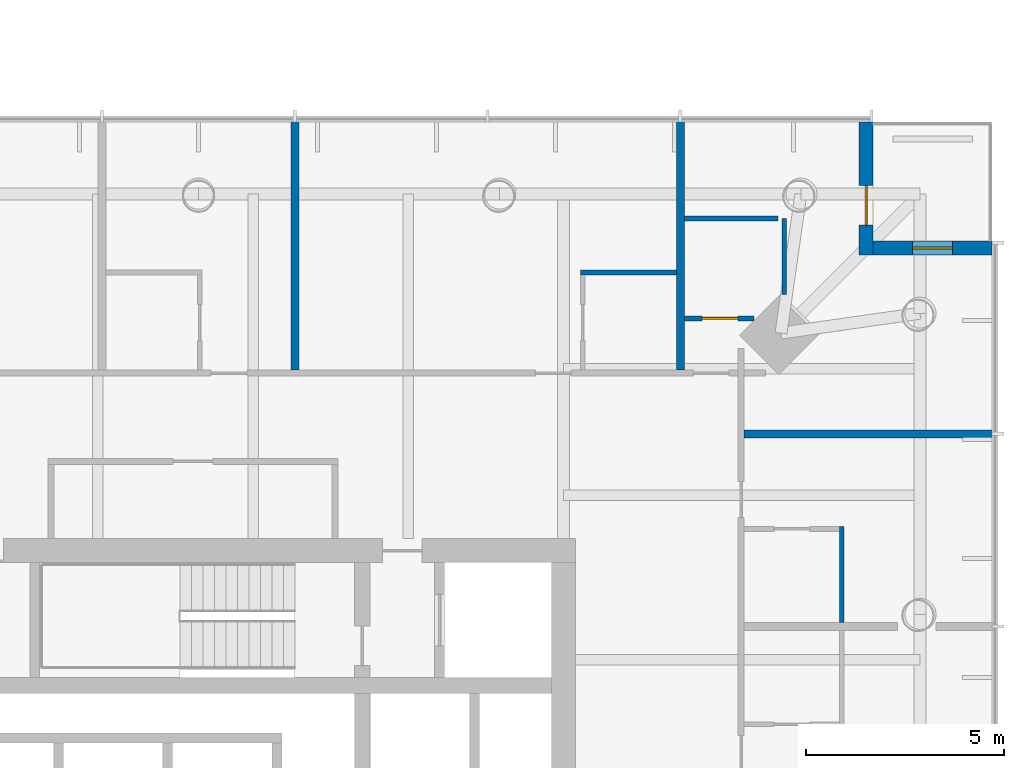
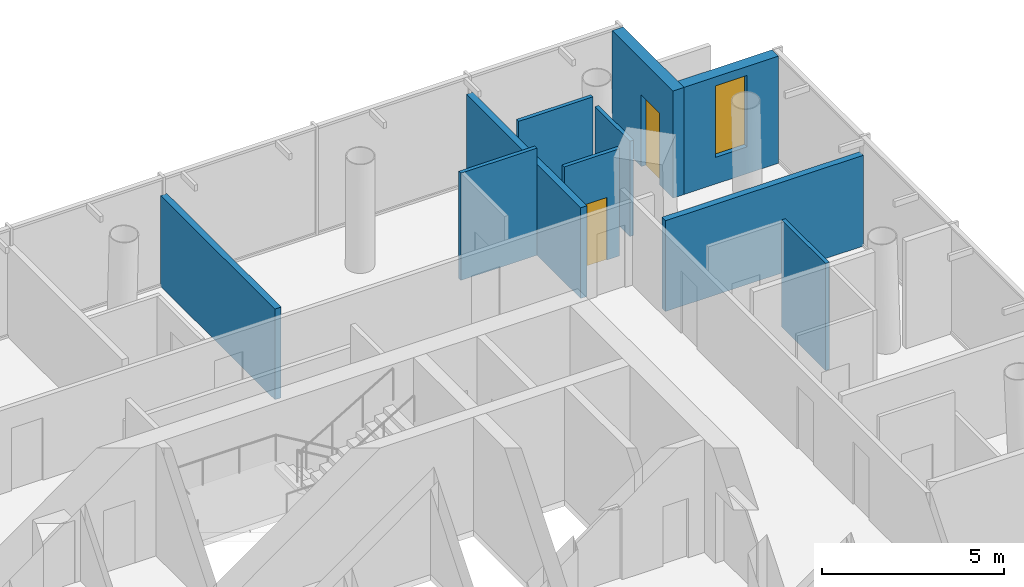
# One storey, part 18 of 22: 10 walls, 2 doors, 1 window, 3 openings.
"""IFC4 building model written with IfcOpenShell, lengths in metres."""

import ifcopenshell
import ifcopenshell.guid

model = None  # the IFC model being written
_history = None  # IfcOwnerHistory: only IFC2X3 demands one
_inside = {}  # id of a spatial element -> (the spatial element, [elements in it])
_under = {}  # id of a project, library or spatial element -> (it, [spatial elements below it])
_declared = {}  # id of a project -> (the project, [libraries it declares])
_typed = {}  # id of a type object -> (the type object, [elements of that type])
_made_of = {}  # id of a material, layer set ... -> (it, [elements and type objects made of it])


def new_model(schema):
    """Start an empty IFC model of exactly this schema.

    Asked for "IFC4X3", IfcOpenShell would pick the latest addendum, in which some entities
    have other attributes; the version numbers below select the first issue.
    IFC2X3 requires an IfcOwnerHistory on every rooted entity: one is made here for all.
    """
    global model, _history
    if schema == "IFC4X3":
        model = ifcopenshell.file(schema_version=(4, 3, 0, 0))
    else:
        model = ifcopenshell.file(schema=schema)
    _inside.clear()
    _under.clear()
    _declared.clear()
    _typed.clear()
    _made_of.clear()
    _history = None
    if model.schema == "IFC2X3":
        org = make("IfcOrganization", Name="unknown")
        user = make(
            "IfcPersonAndOrganization",
            ThePerson=make("IfcPerson", FamilyName="unknown"),
            TheOrganization=org,
        )
        app = make(
            "IfcApplication",
            ApplicationDeveloper=org,
            Version="unknown",
            ApplicationFullName="unknown",
            ApplicationIdentifier="unknown",
        )
        _history = make(
            "IfcOwnerHistory",
            OwningUser=user,
            OwningApplication=app,
            ChangeAction="ADDED",
            CreationDate=0,
        )
    return model


def make(cls, **values):
    """One entity of the class cls with the attributes given. An attribute that is None is left unset."""
    return model.create_entity(
        cls, **{name: value for name, value in values.items() if value is not None}
    )


def rooted(cls, **values):
    """An entity with a GlobalId (a new one), such as an element, a storey or a relation."""
    return make(cls, GlobalId=ifcopenshell.guid.new(), OwnerHistory=_history, **values)


def si_unit(unit_type, name, prefix=None):
    """IfcSIUnit, for example si_unit("LENGTHUNIT", "METRE", prefix="MILLI")."""
    return make("IfcSIUnit", UnitType=unit_type, Prefix=prefix, Name=name)


def assignment(units):
    """IfcUnitAssignment: the units of a project."""
    return None if units is None else make("IfcUnitAssignment", Units=units)


def point(xyz):
    """IfcCartesianPoint."""
    return None if xyz is None else make("IfcCartesianPoint", Coordinates=xyz)


def direction(xyz):
    """IfcDirection."""
    return None if xyz is None else make("IfcDirection", DirectionRatios=xyz)


def frame(location, z_axis=None, x_axis=None):
    """IfcAxis2Placement3D, a coordinate frame: its origin and axes. An axis left out is left unset."""
    return make(
        "IfcAxis2Placement3D",
        Location=point(location),
        Axis=direction(z_axis),
        RefDirection=direction(x_axis),
    )


def frame_2d(location, x_axis=None):
    """IfcAxis2Placement2D, a coordinate frame in the plane: its origin and x axis."""
    return make(
        "IfcAxis2Placement2D", Location=point(location), RefDirection=direction(x_axis)
    )


def origin():
    """The frame at (0, 0, 0) with its axes left unset."""
    return frame((0.0, 0.0, 0.0))


def place(relative_to, where):
    """IfcLocalPlacement: puts the frame where relative to a parent placement (None: the world)."""
    return make(
        "IfcLocalPlacement", PlacementRelTo=relative_to, RelativePlacement=where
    )


def context(
    kind, dimensions, precision=None, world=None, true_north=None, identifier=None
):
    """IfcGeometricRepresentationContext, for example the 3D "Model" context."""
    return make(
        "IfcGeometricRepresentationContext",
        ContextIdentifier=identifier,
        ContextType=kind,
        CoordinateSpaceDimension=dimensions,
        Precision=precision,
        WorldCoordinateSystem=world,
        TrueNorth=true_north,
    )


def subcontext(parent, identifier, kind, view, scale=None):
    """IfcGeometricRepresentationSubContext, for example "Body" below "Model"."""
    return make(
        "IfcGeometricRepresentationSubContext",
        ContextIdentifier=identifier,
        ContextType=kind,
        ParentContext=parent,
        TargetScale=scale,
        TargetView=view,
    )


def project(units=None, contexts=None):
    """IfcProject with its units and contexts."""
    return rooted(
        "IfcProject",
        Name="project",
        RepresentationContexts=contexts,
        UnitsInContext=assignment(units),
    )


def spatial(cls, under=None, at=None, **own):
    """A site, building, storey or space (cls), placed at a placement, below another one or the project."""
    s = rooted(cls, ObjectPlacement=at, **own)
    if under is not None:
        _under.setdefault(under.id(), (under, []))[1].append(s)
    return s


def profile(cls, at=None, kind="AREA", **sizes):
    """A parametric profile (cls). Its sizes go by their IFC names, for example OverallWidth=200.0."""
    return make(cls, ProfileType=kind, Position=at, **sizes)


def rectangle(**sizes):
    """IfcRectangleProfileDef."""
    return profile("IfcRectangleProfileDef", **sizes)


def extrude(swept, where, along, depth):
    """IfcExtrudedAreaSolid: the profile swept, set in the frame where, extruded along a direction by depth."""
    return make(
        "IfcExtrudedAreaSolid",
        SweptArea=swept,
        Position=where,
        ExtrudedDirection=direction(along),
        Depth=depth,
    )


def shape(context_of_items, identifier, shape_type, items):
    """IfcShapeRepresentation: the items that make up one representation, for example the "Body"."""
    return make(
        "IfcShapeRepresentation",
        ContextOfItems=context_of_items,
        RepresentationIdentifier=identifier,
        RepresentationType=shape_type,
        Items=items,
    )


def material(Name=None, Category=None):
    """IfcMaterial."""
    return make("IfcMaterial", Name=Name, Category=Category)


def layer(
    of_material, thickness, ventilated=None, Name=None, Category=None, Priority=None
):
    """IfcMaterialLayer: one layer of a wall or slab, of a material (None: an air gap)."""
    return make(
        "IfcMaterialLayer",
        Material=of_material,
        LayerThickness=thickness,
        IsVentilated=ventilated,
        Name=Name,
        Category=Category,
        Priority=Priority,
    )


def layer_set(layers, Name=None):
    """IfcMaterialLayerSet."""
    return make("IfcMaterialLayerSet", MaterialLayers=layers, LayerSetName=Name)


def made_of(thing, what):
    """Note that an element or type object is made of a material, layer set ...; save() writes the relation."""
    if what is not None:
        _made_of.setdefault(what.id(), (what, []))[1].append(thing)
    return thing


def type_object(cls, material=None, **own):
    """A type object (cls), such as IfcWallType, which elements share."""
    return made_of(rooted(cls, **own), material)


def element(
    cls,
    number,
    at=None,
    inside=None,
    cuts=None,
    type_object=None,
    material=None,
    context=None,
    identifier="Body",
    shape_type=None,
    held_by="IfcProductDefinitionShape",
    body=None,
    shapes=None,
    **own,
):
    """One element of the class cls, such as IfcWall. Its Tag is "e" and its number.

    at: its placement. inside: the storey or other place that contains it. cuts: it is an
    opening in that element (IfcRelVoidsElement). A single representation is given by context,
    identifier, shape_type and body (its items); several are given by shapes. held_by: the class
    of the entity that holds the representations. save() writes the other relations.
    """
    e = rooted(cls, Tag="e%d" % number, ObjectPlacement=at, **own)
    if body is not None:
        shapes = [shape(context, identifier, shape_type, body)]
    if shapes is not None:
        e.Representation = make(held_by, Representations=shapes)
    if inside is not None:
        _inside.setdefault(inside.id(), (inside, []))[1].append(e)
    if cuts is not None:
        rooted(
            "IfcRelVoidsElement", RelatingBuildingElement=cuts, RelatedOpeningElement=e
        )
    if type_object is not None:
        _typed.setdefault(type_object.id(), (type_object, []))[1].append(e)
    return made_of(e, material)


def fill(opening, filler):
    """IfcRelFillsElement: the door or window that sits in an opening."""
    return rooted(
        "IfcRelFillsElement",
        RelatingOpeningElement=opening,
        RelatedBuildingElement=filler,
    )


def aggregate(whole, parts):
    """IfcRelAggregates: a whole, such as a stair, and the parts it consists of."""
    return rooted("IfcRelAggregates", RelatingObject=whole, RelatedObjects=parts)


def save(model, path):
    """Write the relations noted so far, then the file.

    IfcRelAggregates (storeys below a building ...), IfcRelContainedInSpatialStructure (elements
    in a storey), IfcRelDefinesByType, IfcRelAssociatesMaterial and IfcRelDeclares: one each for
    every whole, place, type object, material and project.
    """
    for whole, parts in _under.values():
        aggregate(whole, parts)
    for where, things in _inside.values():
        rooted(
            "IfcRelContainedInSpatialStructure",
            RelatedElements=things,
            RelatingStructure=where,
        )
    for kind, things in _typed.values():
        rooted("IfcRelDefinesByType", RelatedObjects=things, RelatingType=kind)
    for what, things in _made_of.values():
        rooted("IfcRelAssociatesMaterial", RelatedObjects=things, RelatingMaterial=what)
    for by, libraries in _declared.values():
        rooted("IfcRelDeclares", RelatingContext=by, RelatedDefinitions=libraries)
    model.write(path)


model = new_model("IFC4")

# Units and contexts
model_context = context("Model", 3, precision=1e-05, world=origin(), true_north=direction((0.0, 1.0)))
body_context = subcontext(model_context, "Body", "Model", "MODEL_VIEW")
ifc_project = project(units=[si_unit("LENGTHUNIT", "METRE"), si_unit("AREAUNIT", "SQUARE_METRE"), si_unit("VOLUMEUNIT", "CUBIC_METRE"), si_unit("PLANEANGLEUNIT", "RADIAN"), si_unit("MASSUNIT", "GRAM", prefix="KILO")], contexts=[model_context])

# Site, building, storey
site_placement = place(None, origin())
site = spatial("IfcSite", under=ifc_project, at=site_placement, CompositionType="ELEMENT")
building_placement = place(site_placement, origin())
building = spatial("IfcBuilding", under=site, at=building_placement, Name="Ostroluk Exchange", CompositionType="ELEMENT")
storey_placement = place(building_placement, frame((0.0, 0.0, 40.0)))
storey = spatial("IfcBuildingStorey", under=building, at=storey_placement, Name="L09", CompositionType="ELEMENT", Elevation=40.0)

# Wall, opening, door
ifc_material_1 = material(Name="Limestone", Category="masonry")
ifc_layer_1 = layer(ifc_material_1, 0.35009765625)
ifc_layer_set_1 = layer_set([ifc_layer_1], Name="Limestone facade wall 350")
wall_type_1 = type_object("IfcWallType", Name="Limestone facade wall 350", PredefinedType="SOLIDWALL", material=ifc_layer_set_1)
wall_1_placement = place(storey_placement, frame((133.824951171875, 66.0, 0.0), z_axis=(0.0, 0.0, 1.0), x_axis=(0.0, -1.0, 0.0)))
wall_1 = element("IfcWall", 1, at=wall_1_placement, inside=storey, type_object=wall_type_1, Name="Hotel tower NE corner wall L09 a", PredefinedType="SOLIDWALL", context=body_context, shape_type="SweptSolid", body=[
    extrude(rectangle(XDim=3.35009765625, YDim=0.35009765625, at=frame_2d((1.675048828125, 0.0))), origin(), (0.0, 0.0, 1.0), 3.60009765625),
])
opening_1_placement = place(wall_1_placement, frame((1.60009765625, 0.0, 0.0)))
opening_1 = element("IfcOpeningElement", 2, at=opening_1_placement, cuts=wall_1, Name="Opening D-B1", PredefinedType="OPENING", context=body_context, shape_type="SweptSolid", body=[
    extrude(rectangle(XDim=1.0, YDim=2.39990234375, at=frame_2d((0.5, 1.199951171875))), frame((0.0, 0.18505859375, 0.0), z_axis=(0.0, -1.0, 0.0), x_axis=(1.0, 0.0, 0.0)), (0.0, 0.0, 1.0), 0.3701171875),
])
ifc_material_2 = material(Name="Bronze framed glazed door", Category="aluminium")
door_type_1 = type_object("IfcDoorType", Name="Balcony door 1000 x 2400", OperationType="SINGLE_SWING_LEFT", PredefinedType="DOOR", material=ifc_material_2)
door_1_placement = place(opening_1_placement, origin())
door_1 = element("IfcDoor", 3, at=door_1_placement, inside=storey, type_object=door_type_1, Name="Hotel tower NE balcony door L09", OperationType="SINGLE_SWING_RIGHT", OverallHeight=2.39990234375, OverallWidth=1.0, PredefinedType="DOOR", context=body_context, shape_type="SweptSolid", body=[
    extrude(rectangle(XDim=1.0, YDim=2.39990234375, at=frame_2d((0.5, 1.199951171875))), frame((0.0, 0.02490234375, 0.0), z_axis=(0.0, -1.0, 0.0), x_axis=(1.0, 0.0, 0.0)), (0.0, 0.0, 1.0), 0.050048828125),
])
fill(opening_1, door_1)

# Wall, opening, window
wall_2_placement = place(storey_placement, frame((134.0, 62.824951171875, 0.0), z_axis=(0.0, 0.0, 1.0), x_axis=(1.0, 0.0, 0.0)))
wall_2 = element("IfcWall", 4, at=wall_2_placement, inside=storey, type_object=wall_type_1, Name="Hotel tower NE corner wall L09 b", PredefinedType="SOLIDWALL", context=body_context, shape_type="SweptSolid", body=[
    extrude(rectangle(XDim=3.0, YDim=0.35009765625, at=frame_2d((1.5, 0.0))), origin(), (0.0, 0.0, 1.0), 3.60009765625),
])
opening_2_placement = place(wall_2_placement, frame((1.0, 0.0, 0.89990234375)))
opening_2 = element("IfcOpeningElement", 5, at=opening_2_placement, cuts=wall_2, Name="Opening WN-L3", PredefinedType="OPENING", context=body_context, shape_type="SweptSolid", body=[
    extrude(rectangle(XDim=1.0, YDim=2.39990234375, at=frame_2d((0.5, 1.199951171875))), frame((0.0, 0.18505859375, 0.0), z_axis=(0.0, -1.0, 0.0), x_axis=(1.0, 0.0, 0.0)), (0.0, 0.0, 1.0), 0.3701171875),
])
ifc_material_3 = material(Name="Laminated clear glass", Category="glass")
window_type = type_object("IfcWindowType", Name="Hotel lancet window 1000 x 2400", PartitioningType="SINGLE_PANEL", PredefinedType="WINDOW", material=ifc_material_3)
window_placement = place(opening_2_placement, origin())
window = element("IfcWindow", 6, at=window_placement, inside=storey, type_object=window_type, Name="Hotel tower NE lancet window L09", OverallHeight=2.39990234375, OverallWidth=1.0, PartitioningType="SINGLE_PANEL", PredefinedType="WINDOW", context=body_context, shape_type="SweptSolid", body=[
    extrude(rectangle(XDim=1.0, YDim=2.39990234375, at=frame_2d((0.5, 1.199951171875))), frame((0.0, 0.030029296875, 0.0), z_axis=(0.0, -1.0, 0.0), x_axis=(1.0, 0.0, 0.0)), (0.0, 0.0, 1.0), 0.06005859375),
])
fill(opening_2, window)

# Wall
ifc_material_4 = material(Name="Gypsum plasterboard partition, moisture resistant", Category="gypsum")
ifc_layer_2 = layer(ifc_material_4, 0.1201171875)
ifc_layer_set_2 = layer_set([ifc_layer_2], Name="Plasterboard en-suite wall 120")
wall_type_2 = type_object("IfcWallType", Name="Plasterboard en-suite wall 120", PredefinedType="PARTITIONING", material=ifc_layer_set_2)
wall_3_placement = place(storey_placement, frame((133.2099609375, 53.3857421875, 0.0), z_axis=(0.0, 0.0, 1.0), x_axis=(0.0, 1.0, 0.0)))
element("IfcWall", 7, at=wall_3_placement, inside=storey, type_object=wall_type_2, Name="En-suite wall", PredefinedType="PARTITIONING", context=body_context, shape_type="SweptSolid", body=[
    extrude(rectangle(XDim=2.419921875, YDim=0.1201171875, at=frame_2d((1.2099609375, 0.0))), origin(), (0.0, 0.0, 1.0), 3.60009765625),
])

# Wall, opening, door
wall_4_placement = place(storey_placement, frame((129.242919921875, 61.050048828125, 0.0), z_axis=(0.0, 0.0, 1.0), x_axis=(1.0, 0.0, 0.0)))
wall_4 = element("IfcWall", 8, at=wall_4_placement, inside=storey, type_object=wall_type_2, Name="En-suite wall", PredefinedType="PARTITIONING", context=body_context, shape_type="SweptSolid", body=[
    extrude(rectangle(XDim=1.757080078125, YDim=0.1201171875, at=frame_2d((0.87841796875, 0.0))), origin(), (0.0, 0.0, 1.0), 3.60009765625),
])
opening_3_placement = place(wall_4_placement, frame((0.449951171875, 0.0, 0.0)))
opening_3 = element("IfcOpeningElement", 9, at=opening_3_placement, cuts=wall_4, Name="Opening D-02", PredefinedType="OPENING", context=body_context, shape_type="SweptSolid", body=[
    extrude(rectangle(XDim=0.89990234375, YDim=2.10009765625, at=frame_2d((0.449951171875, 1.050048828125))), frame((0.0, 0.070068359375, 0.0), z_axis=(0.0, -1.0, 0.0), x_axis=(1.0, 0.0, 0.0)), (0.0, 0.0, 1.0), 0.14013671875),
])
ifc_material_5 = material(Name="Timber", Category="wood")
door_type_2 = type_object("IfcDoorType", Name="En-suite door 900 x 2100", OperationType="SINGLE_SWING_LEFT", PredefinedType="DOOR", material=ifc_material_5)
door_2_placement = place(opening_3_placement, origin())
door_2 = element("IfcDoor", 10, at=door_2_placement, inside=storey, type_object=door_type_2, Name="En-suite door 906", OperationType="SINGLE_SWING_RIGHT", OverallHeight=2.10009765625, OverallWidth=0.89990234375, PredefinedType="DOOR", context=body_context, shape_type="SweptSolid", body=[
    extrude(rectangle(XDim=0.89990234375, YDim=2.10009765625, at=frame_2d((0.449951171875, 1.050048828125))), frame((0.0, 0.02490234375, 0.0), z_axis=(0.0, -1.0, 0.0), x_axis=(1.0, 0.0, 0.0)), (0.0, 0.0, 1.0), 0.050048828125),
])
fill(opening_3, door_2)

# Walls
wall_5_placement = place(storey_placement, frame((129.242919921875, 63.570068359375, 0.0), z_axis=(0.0, 0.0, 1.0), x_axis=(1.0, 0.0, 0.0)))
element("IfcWall", 11, at=wall_5_placement, inside=storey, type_object=wall_type_2, Name="En-suite wall", PredefinedType="PARTITIONING", context=body_context, shape_type="SweptSolid", body=[
    extrude(rectangle(XDim=2.367919921875, YDim=0.1201171875, at=frame_2d((1.18408203125, 0.0))), origin(), (0.0, 0.0, 1.0), 3.60009765625),
])
wall_6_placement = place(storey_placement, frame((131.762939453125, 61.649169921875, 0.0), z_axis=(0.0, 0.0, 1.0), x_axis=(0.0, 1.0, 0.0)))
element("IfcWall", 12, at=wall_6_placement, inside=storey, type_object=wall_type_2, Name="En-suite wall", PredefinedType="PARTITIONING", context=body_context, shape_type="SweptSolid", body=[
    extrude(rectangle(XDim=1.9208984375, YDim=0.1201171875, at=frame_2d((0.96044921875, 0.0))), origin(), (0.0, 0.0, 1.0), 3.199951171875),
])
wall_7_placement = place(storey_placement, frame((129.04296875, 62.2099609375, 0.0), z_axis=(0.0, 0.0, 1.0), x_axis=(-1.0, 0.0, 0.0)))
element("IfcWall", 13, at=wall_7_placement, inside=storey, type_object=wall_type_2, Name="En-suite wall", PredefinedType="PARTITIONING", context=body_context, shape_type="SweptSolid", body=[
    extrude(rectangle(XDim=2.420166015625, YDim=0.1201171875, at=frame_2d((1.2099609375, 0.0))), origin(), (0.0, 0.0, 1.0), 3.60009765625),
])
ifc_material_6 = material(Name="Gypsum plasterboard partition", Category="gypsum")
ifc_layer_3 = layer(ifc_material_6, 0.199951171875)
ifc_layer_set_3 = layer_set([ifc_layer_3], Name="Plasterboard party wall 200")
wall_type_3 = type_object("IfcWallType", Name="Plasterboard party wall 200", PredefinedType="PARTITIONING", material=ifc_layer_set_3)
for number, where, z_axis, x_axis, name in (
    (14, (130.75, 58.142822265625, 0.0), (0.0, 0.0, 1.0), (1.0, 0.0, 0.0), "Party wall"),
    (15, (129.142822265625, 59.75, 0.0), (0.0, 0.0, 1.0), (0.0, 1.0, 0.0), "Party wall"),
    (16, (119.428466796875, 59.75, 0.0), (0.0, 0.0, 1.0), (0.0, 1.0, 0.0), "Party wall"),
):
    element("IfcWall", number, at=place(storey_placement, frame(where, z_axis=z_axis, x_axis=x_axis)), inside=storey, type_object=wall_type_3, Name=name, PredefinedType="PARTITIONING", context=body_context, shape_type="SweptSolid", body=[
        extrude(rectangle(XDim=6.2900390625, YDim=0.199951171875, at=frame_2d((3.14501953125, 0.0))), origin(), (0.0, 0.0, 1.0), 3.050048828125),
    ])

save(model, "model.ifc")
